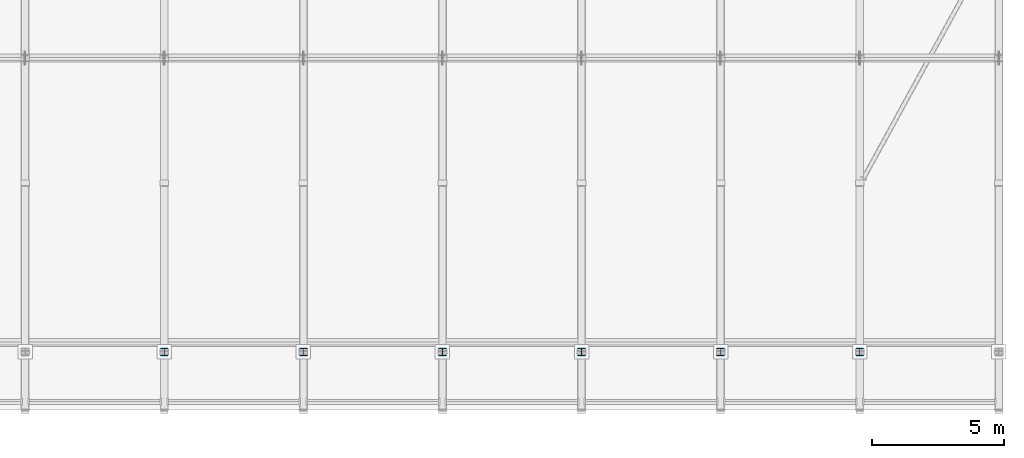
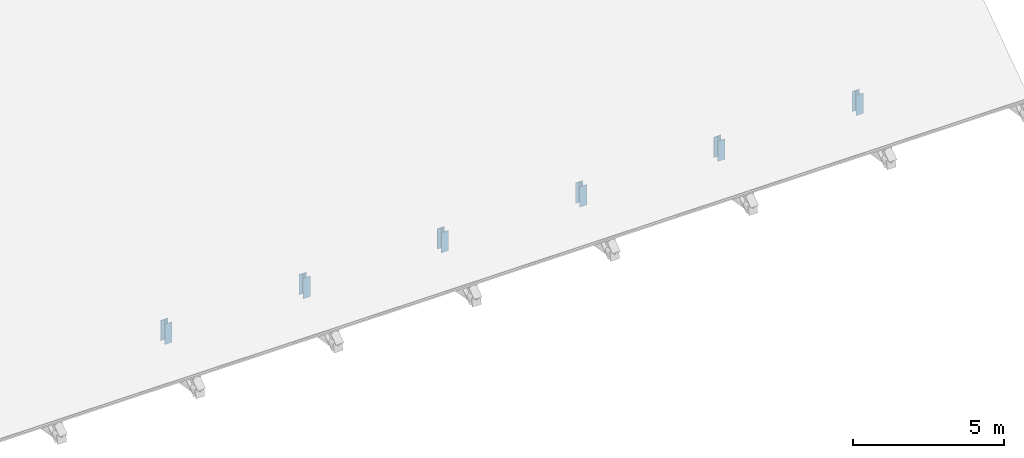
# One storey, part 24 of 57: 6 members.
"""IFC4 building model written with IfcOpenShell, lengths in metres."""

from ifc_helpers import new_model, si_unit, direction, frame, origin, origin_2d, place, context, subcontext, project, spatial, i_section, extrude, material, material_profile, profile_set, type_object, element, save


model = new_model("IFC4")

# Units and contexts
model_context = context("Model", 3, precision=1e-05, world=origin(), true_north=direction((0.0, 1.0)))
body_context = subcontext(model_context, "Body", "Model", "MODEL_VIEW")
ifc_project = project(units=[si_unit("LENGTHUNIT", "METRE"), si_unit("AREAUNIT", "SQUARE_METRE"), si_unit("VOLUMEUNIT", "CUBIC_METRE"), si_unit("PLANEANGLEUNIT", "RADIAN"), si_unit("MASSUNIT", "GRAM", prefix="KILO")], contexts=[model_context])

# Site, building, storey
site_placement = place(None, origin())
site = spatial("IfcSite", under=ifc_project, at=site_placement, CompositionType="ELEMENT")
building_placement = place(site_placement, origin())
building = spatial("IfcBuilding", under=site, at=building_placement, Name="Kelarvand Opera House", CompositionType="ELEMENT")
storey_placement = place(building_placement, frame((0.0, 0.0, 33.60009765625)))
storey = spatial("IfcBuildingStorey", under=building, at=storey_placement, Name="Roof", CompositionType="ELEMENT", Elevation=33.60009765625)

# Members
ifc_material = material(Name="Steel S355", Category="steel")
ifc_material_profile = material_profile(ifc_material, i_section(OverallWidth=0.280029296875, OverallDepth=0.280029296875, WebThickness=0.010498046875, FlangeThickness=0.01806640625, at=origin_2d()), Name="HEB 280", Category="steel")
ifc_profile_set = profile_set([ifc_material_profile], Name="Steel S355")
member_type = type_object("IfcMemberType", Name="Structural Post HEB 280 PS-HEB280", PredefinedType="POST", material=ifc_profile_set)
for number, where, z_axis, x_axis, name in (
    (1, (110.1201171875, 46.60009765625, -9.60009765625), (0.0, 0.0, 1.0), (1.0, 0.0, 0.0), "V1 Roof Truss 5 Bearing Post S"),
    (2, (115.39990234375, 46.60009765625, -9.60009765625), (0.0, 0.0, 1.0), (1.0, 0.0, 0.0), "V1 Roof Truss 6 Bearing Post S"),
    (3, (120.679931640625, 46.60009765625, -9.60009765625), (0.0, 0.0, 1.0), (1.0, 0.0, 0.0), "V1 Roof Truss 7 Bearing Post S"),
    (4, (125.9599609375, 46.60009765625, -9.60009765625), (0.0, 0.0, 1.0), (1.0, 0.0, 0.0), "V1 Roof Truss 8 Bearing Post S"),
    (5, (131.239990234375, 46.60009765625, -9.60009765625), (0.0, 0.0, 1.0), (1.0, 0.0, 0.0), "V1 Roof Truss 9 Bearing Post S"),
    (6, (136.52001953125, 46.60009765625, -9.60009765625), (0.0, 0.0, 1.0), (1.0, 0.0, 0.0), "V1 Roof Truss 10 Bearing Post S"),
):
    element("IfcMember", number, at=place(storey_placement, frame(where, z_axis=z_axis, x_axis=x_axis)), inside=storey, type_object=member_type, Name=name, PredefinedType="POST", context=body_context, shape_type="SweptSolid", body=[
        extrude(i_section(OverallWidth=0.280029296875, OverallDepth=0.280029296875, WebThickness=0.010498046875, FlangeThickness=0.01806640625, at=origin_2d()), origin(), (0.0, 0.0, 1.0), 0.82373046875),
    ])

save(model, "model.ifc")
